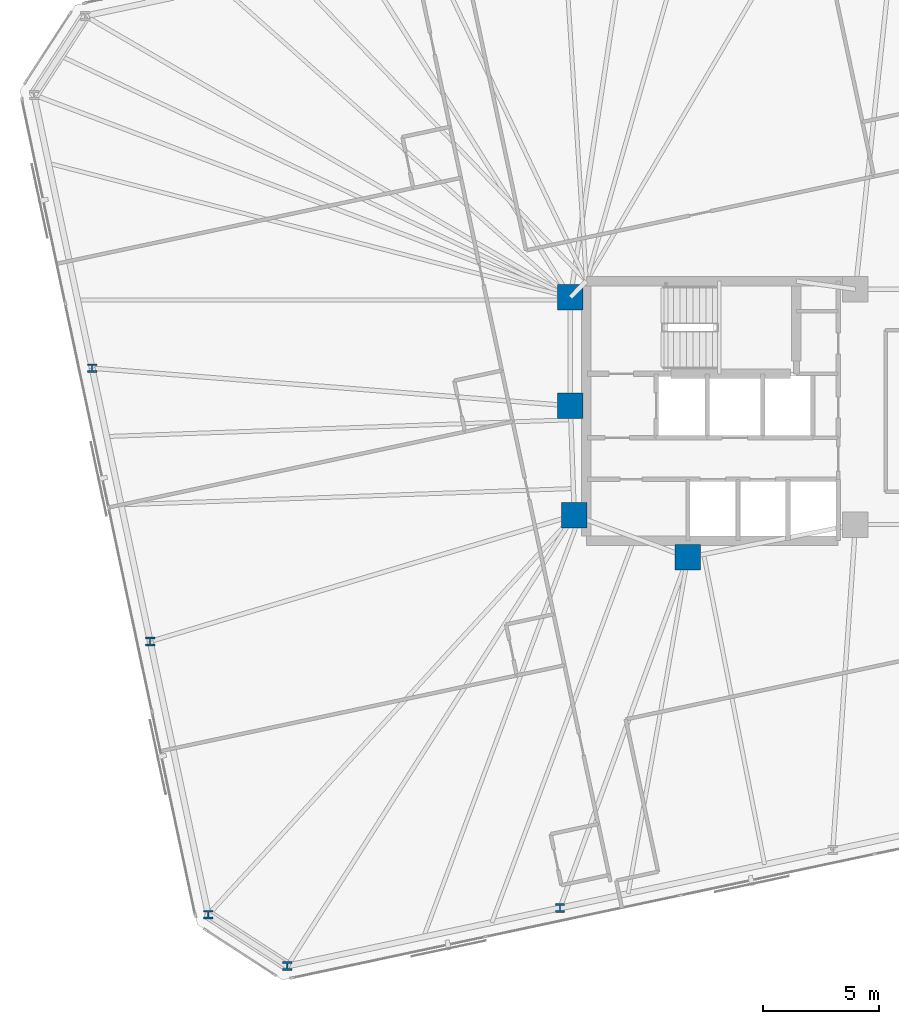
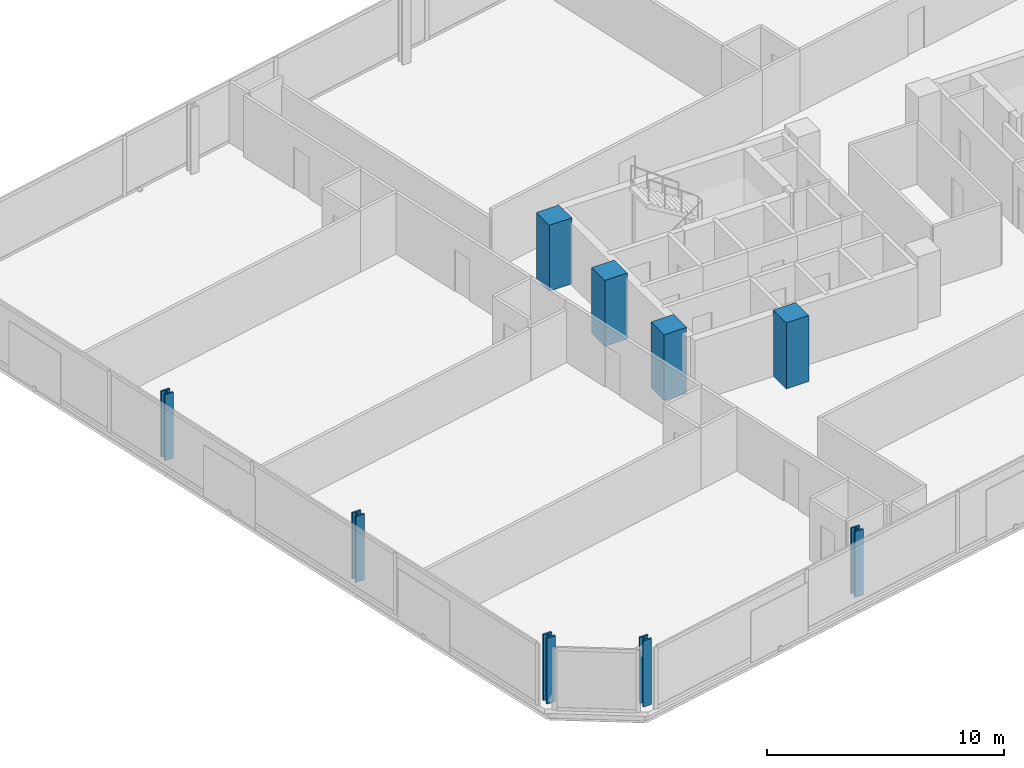
# One storey, part 1 of 19: 9 columns.
"""IFC4 building model written with IfcOpenShell, lengths in metres."""

from ifc_helpers import new_model, si_unit, direction, frame, origin, origin_2d, place, context, subcontext, project, spatial, rectangle, i_section, extrude, material, material_profile, profile_set, type_object, element, save


model = new_model("IFC4")

# Units and contexts
model_context = context("Model", 3, precision=1e-05, world=origin(), true_north=direction((0.0, 1.0)))
body_context = subcontext(model_context, "Body", "Model", "MODEL_VIEW")
ifc_project = project(units=[si_unit("LENGTHUNIT", "METRE"), si_unit("AREAUNIT", "SQUARE_METRE"), si_unit("VOLUMEUNIT", "CUBIC_METRE"), si_unit("PLANEANGLEUNIT", "RADIAN"), si_unit("MASSUNIT", "GRAM", prefix="KILO")], contexts=[model_context])

# Site, building, storey
site_placement = place(None, origin())
site = spatial("IfcSite", under=ifc_project, at=site_placement, CompositionType="ELEMENT")
building_placement = place(site_placement, origin())
building = spatial("IfcBuilding", under=site, at=building_placement, Name="Menara Jurai Vektor", CompositionType="ELEMENT")
storey_placement = place(building_placement, frame((0.0, 0.0, 171.800048828125)))
storey = spatial("IfcBuildingStorey", under=building, at=storey_placement, Name="L44", CompositionType="ELEMENT", Elevation=171.800048828125)

# Columns
ifc_material_1 = material(Name="Concrete C50/60", Category="concrete")
ifc_material_profile_1 = material_profile(ifc_material_1, rectangle(XDim=1.10009765625, YDim=1.10009765625, at=origin_2d()), Name="RC 1100x1100")
ifc_profile_set_1 = profile_set([ifc_material_profile_1], Name="Concrete C50/60")
column_type_1 = type_object("IfcColumnType", Name="STR-COL-RC1100", PredefinedType="COLUMN", material=ifc_profile_set_1)
for number, where, z_axis, x_axis, name in (
    (1, (-15.25, 4.89990234375, 0.0), (0.0, 0.0, 1.0), (1.0, 0.0, 0.0), "Core Spine Column CW-NW L44"),
    (2, (-15.25, 0.219970703125, 0.0), (0.0, 0.0, 1.0), (1.0, 0.0, 0.0), "Core Spine Column CW-WM L44"),
    (3, (-15.080078125, -4.5, 0.0), (0.0, 0.0, 1.0), (1.0, 0.0, 0.0), "Core Spine Column CW-SW L44"),
    (4, (-10.179931640625, -6.320068359375, 0.0), (0.0, 0.0, 1.0), (1.0, 0.0, 0.0), "Core Spine Column CW-SM L44"),
):
    element("IfcColumn", number, at=place(storey_placement, frame(where, z_axis=z_axis, x_axis=x_axis)), inside=storey, type_object=column_type_1, Name=name, PredefinedType="COLUMN", context=body_context, shape_type="SweptSolid", body=[
        extrude(rectangle(XDim=1.10009765625, YDim=1.10009765625, at=origin_2d()), origin(), (0.0, 0.0, 1.0), 3.39990234375),
    ])
ifc_material_2 = material(Name="Steel S460", Category="steel")
ifc_material_profile_2 = material_profile(ifc_material_2, i_section(OverallWidth=0.408935546875, OverallDepth=0.3740234375, WebThickness=0.048095703125, FlangeThickness=0.076904296875, FilletRadius=0.014892578125, at=origin_2d()), Name="HD 400x634")
ifc_profile_set_2 = profile_set([ifc_material_profile_2], Name="Steel S460")
column_type_2 = type_object("IfcColumnType", Name="STR-EXO-BLK3", PredefinedType="COLUMN", material=ifc_profile_set_2)
for number, where, z_axis, x_axis, name in (
    (5, (-27.46484375, -23.94580078125, 0.0), (0.0, 0.0, 1.0), (1.0, 0.0, 0.0), "Exoskeleton Column BLK3-S1 L44"),
    (6, (-15.696533203125, -21.4443359375, 0.0), (0.0, 0.0, 1.0), (1.0, 0.0, 0.0), "Exoskeleton Column BLK3-S2 L44"),
    (7, (-35.8828125, 1.843505859375, 0.0), (0.0, 0.0, 1.0), (1.0, 0.0, 0.0), "Exoskeleton Column BLK3-W2 L44"),
    (8, (-33.377197265625, -9.945068359375, 0.0), (0.0, 0.0, 1.0), (1.0, 0.0, 0.0), "Exoskeleton Column BLK3-W3 L44"),
    (9, (-30.871337890625, -21.7333984375, 0.0), (0.0, 0.0, 1.0), (1.0, 0.0, 0.0), "Exoskeleton Column BLK3-W4 L44"),
):
    element("IfcColumn", number, at=place(storey_placement, frame(where, z_axis=z_axis, x_axis=x_axis)), inside=storey, type_object=column_type_2, Name=name, PredefinedType="COLUMN", context=body_context, shape_type="SweptSolid", body=[
        extrude(i_section(OverallWidth=0.408935546875, OverallDepth=0.3740234375, WebThickness=0.048095703125, FlangeThickness=0.076904296875, FilletRadius=0.014892578125, at=origin_2d()), origin(), (0.0, 0.0, 1.0), 3.39990234375),
    ])

save(model, "model.ifc")
